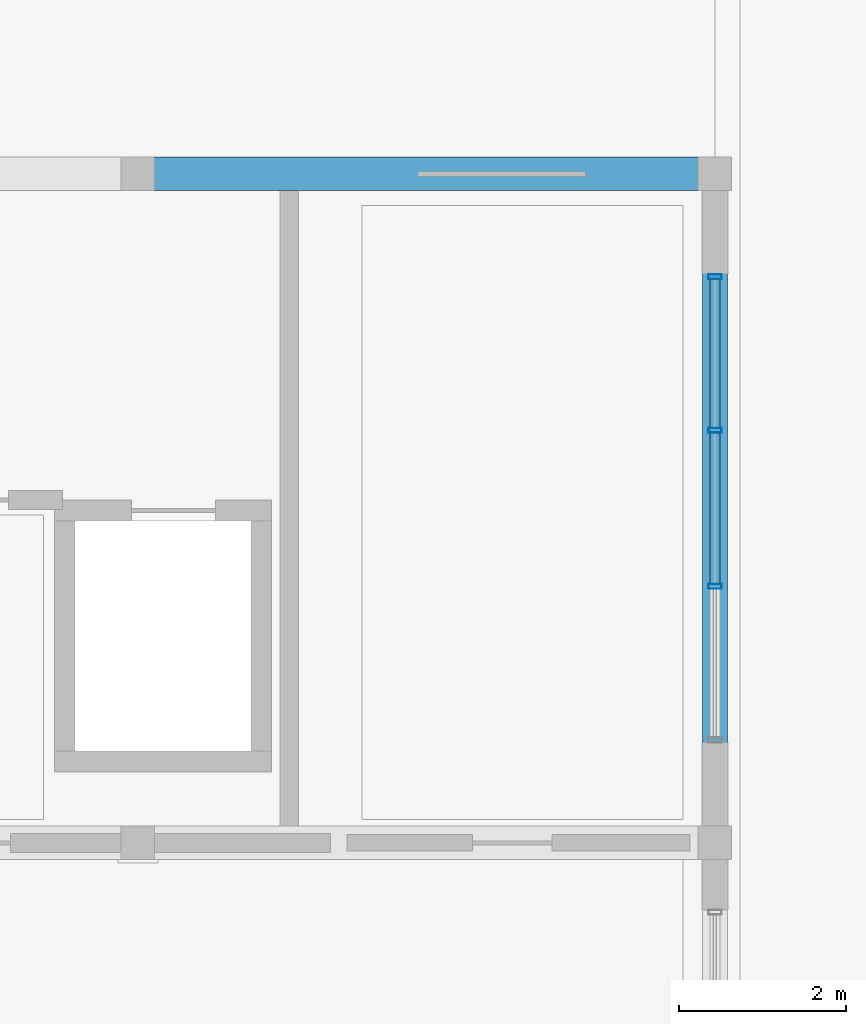
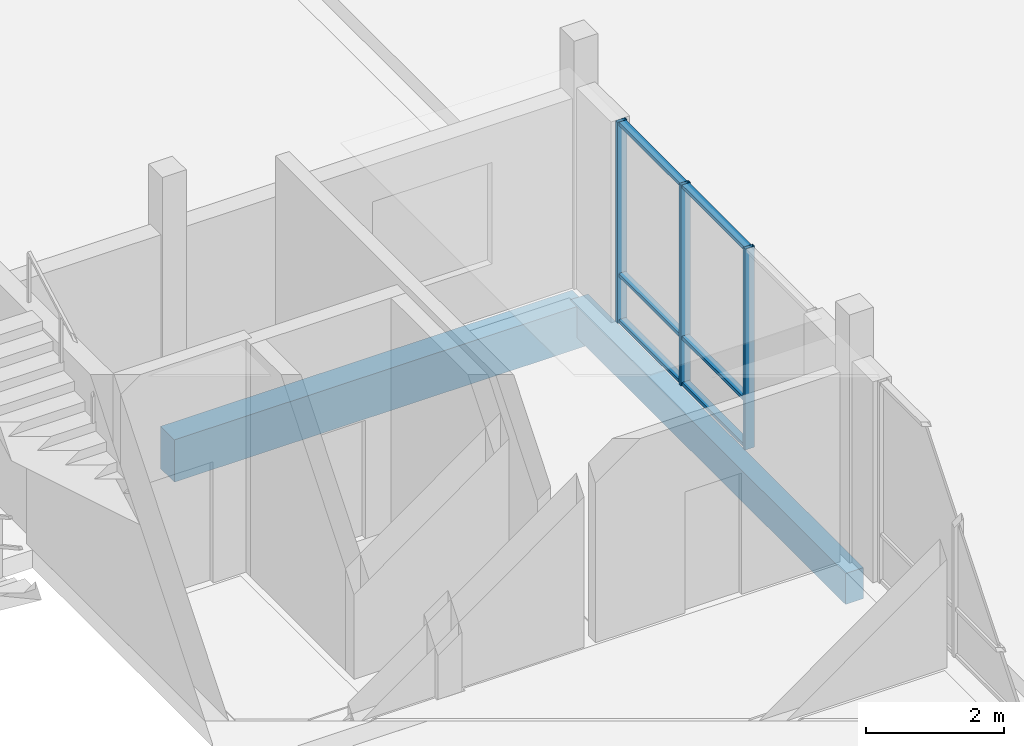
# One storey, part 91 of 233: 9 members, 2 beams, 1 element without a shape of its own.
"""IFC4 building model written with IfcOpenShell, lengths in metres."""

from ifc_helpers import new_model, si_unit, direction, frame, origin, origin_2d, place, context, subcontext, project, spatial, rectangle, hollow_rectangle, extrude, material, material_profile, profile_set, type_object, element, aggregate, save


model = new_model("IFC4")

# Units and contexts
model_context = context("Model", 3, precision=1e-05, world=origin(), true_north=direction((0.0, 1.0)))
body_context = subcontext(model_context, "Body", "Model", "MODEL_VIEW")
ifc_project = project(units=[si_unit("LENGTHUNIT", "METRE"), si_unit("AREAUNIT", "SQUARE_METRE"), si_unit("VOLUMEUNIT", "CUBIC_METRE"), si_unit("PLANEANGLEUNIT", "RADIAN"), si_unit("MASSUNIT", "GRAM", prefix="KILO")], contexts=[model_context])

# Site, building, storey
site_placement = place(None, origin())
site = spatial("IfcSite", under=ifc_project, at=site_placement, CompositionType="ELEMENT")
building_placement = place(site_placement, origin())
building = spatial("IfcBuilding", under=site, at=building_placement, Name="Zavelmont Quarter", CompositionType="ELEMENT")
storey_placement = place(building_placement, origin())
storey = spatial("IfcBuildingStorey", under=building, at=storey_placement, Name="L00", CompositionType="ELEMENT", Elevation=0.0)

# Beams
ifc_material_1 = material(Name="Concrete C35/45", Category="concrete")
ifc_material_profile_1 = material_profile(ifc_material_1, rectangle(XDim=0.300048828125, YDim=0.550048828125, at=origin_2d()), Name="RC300X550")
ifc_profile_set_1 = profile_set([ifc_material_profile_1], Name="Concrete C35/45")
beam_type_1 = type_object("IfcBeamType", Name="BM02", PredefinedType="SPANDREL", material=ifc_profile_set_1)
beam_1_placement = place(storey_placement, frame((20.699951171875, 78.0, -0.594970703125), z_axis=(0.0, 1.0, 0.0), x_axis=(-1.0, 0.0, 0.0)))
element("IfcBeam", 1, at=beam_1_placement, inside=storey, type_object=beam_type_1, Name="L00 beam BM02 4/M to 4/N", PredefinedType="SPANDREL", context=body_context, shape_type="SweptSolid", body=[
    extrude(rectangle(XDim=0.300048828125, YDim=0.550048828125, at=origin_2d()), origin(), (0.0, 0.0, 1.0), 8.0),
])
ifc_material_2 = material(Name="Concrete C40/50", Category="concrete")
ifc_material_profile_2 = material_profile(ifc_material_2, rectangle(XDim=0.39990234375, YDim=0.75, at=origin_2d()), Name="RC400X750")
ifc_profile_set_2 = profile_set([ifc_material_profile_2], Name="Concrete C40/50")
beam_type_2 = type_object("IfcBeamType", Name="BM05", PredefinedType="BEAM", material=ifc_profile_set_2)
beam_2_placement = place(storey_placement, frame((13.800048828125, 86.0, -0.695068359375), z_axis=(1.0, 0.0, 0.0), x_axis=(0.0, 1.0, 0.0)))
element("IfcBeam", 2, at=beam_2_placement, inside=storey, type_object=beam_type_2, Name="L00 beam BM05 3/N to 4/N", PredefinedType="BEAM", context=body_context, shape_type="SweptSolid", body=[
    extrude(rectangle(XDim=0.39990234375, YDim=0.75, at=origin_2d()), origin(), (0.0, 0.0, 1.0), 6.89990234375),
])

# Curtain wall, members
ifc_material_3 = material(Name="Thermally broken aluminium and double low-E safety glazing", Category="aluminium")
curtain_wall_type = type_object("IfcCurtainWallType", Name="CW-560X356", PredefinedType="NOTDEFINED", material=ifc_material_3)
curtain_wall_placement = place(storey_placement, origin())
curtain_wall = element("IfcCurtainWall", 3, at=curtain_wall_placement, inside=storey, type_object=curtain_wall_type, Name="L00 unitised curtain wall CW-560X356", PredefinedType="NOTDEFINED")
ifc_material_4 = material(Name="Powder-coated aluminium EN AW-6063-T6", Category="aluminium")
ifc_material_profile_3 = material_profile(ifc_material_4, hollow_rectangle(XDim=0.06005859375, YDim=0.159912109375, WallThickness=0.00390625, at=origin_2d()), Name="CWM60X160")
ifc_profile_set_3 = profile_set([ifc_material_profile_3], Name="Powder-coated aluminium EN AW-6063-T6")
member_type_1 = type_object("IfcMemberType", Name="CWM01", PredefinedType="MULLION", material=ifc_profile_set_3)
member_1_placement = place(storey_placement, frame((20.699951171875, 81.066650390625, 0.0), z_axis=(0.0, 0.0, 1.0), x_axis=(0.0, 1.0, 0.0)))
member_1 = element("IfcMember", 4, at=member_1_placement, type_object=member_type_1, Name="CW-560X356 mullion 2", PredefinedType="MULLION", context=body_context, shape_type="SweptSolid", body=[
    extrude(hollow_rectangle(XDim=0.06005859375, YDim=0.159912109375, WallThickness=0.00390625, at=origin_2d()), origin(), (0.0, 0.0, 1.0), 3.56005859375),
])
member_2_placement = place(storey_placement, frame((20.699951171875, 82.933349609375, 0.0), z_axis=(0.0, 0.0, 1.0), x_axis=(0.0, 1.0, 0.0)))
member_2 = element("IfcMember", 5, at=member_2_placement, type_object=member_type_1, Name="CW-560X356 mullion 3", PredefinedType="MULLION", context=body_context, shape_type="SweptSolid", body=[
    extrude(hollow_rectangle(XDim=0.06005859375, YDim=0.159912109375, WallThickness=0.00390625, at=origin_2d()), origin(), (0.0, 0.0, 1.0), 3.56005859375),
])
member_3_placement = place(storey_placement, frame((20.699951171875, 84.77001953125, 0.0), z_axis=(0.0, 0.0, 1.0), x_axis=(0.0, 1.0, 0.0)))
member_3 = element("IfcMember", 6, at=member_3_placement, type_object=member_type_1, Name="CW-560X356 mullion 4", PredefinedType="MULLION", context=body_context, shape_type="SweptSolid", body=[
    extrude(hollow_rectangle(XDim=0.06005859375, YDim=0.159912109375, WallThickness=0.00390625, at=origin_2d()), origin(), (0.0, 0.0, 1.0), 3.56005859375),
])
ifc_material_profile_4 = material_profile(ifc_material_4, hollow_rectangle(XDim=0.1201171875, YDim=0.06005859375, WallThickness=0.00390625, at=origin_2d()), Name="CWT60X120")
ifc_profile_set_4 = profile_set([ifc_material_profile_4], Name="Powder-coated aluminium EN AW-6063-T6")
member_type_2 = type_object("IfcMemberType", Name="CWT01", PredefinedType="NOTDEFINED", material=ifc_profile_set_4)
member_4_placement = place(storey_placement, frame((20.699951171875, 81.0966796875, 0.030029296875), z_axis=(0.0, 1.0, 0.0), x_axis=(-1.0, 0.0, 0.0)))
member_4 = element("IfcMember", 7, at=member_4_placement, type_object=member_type_2, Name="CW-560X356 transom 2.1", ObjectType="TRANSOM", PredefinedType="USERDEFINED", context=body_context, shape_type="SweptSolid", body=[
    extrude(hollow_rectangle(XDim=0.1201171875, YDim=0.06005859375, WallThickness=0.00390625, at=origin_2d()), origin(), (0.0, 0.0, 1.0), 1.806640625),
])
member_5_placement = place(storey_placement, frame((20.699951171875, 81.0966796875, 0.85009765625), z_axis=(0.0, 1.0, 0.0), x_axis=(-1.0, 0.0, 0.0)))
member_5 = element("IfcMember", 8, at=member_5_placement, type_object=member_type_2, Name="CW-560X356 transom 2.2", ObjectType="TRANSOM", PredefinedType="USERDEFINED", context=body_context, shape_type="SweptSolid", body=[
    extrude(hollow_rectangle(XDim=0.1201171875, YDim=0.06005859375, WallThickness=0.00390625, at=origin_2d()), origin(), (0.0, 0.0, 1.0), 1.806640625),
])
member_6_placement = place(storey_placement, frame((20.699951171875, 81.0966796875, 3.530029296875), z_axis=(0.0, 1.0, 0.0), x_axis=(-1.0, 0.0, 0.0)))
member_6 = element("IfcMember", 9, at=member_6_placement, type_object=member_type_2, Name="CW-560X356 transom 2.3", ObjectType="TRANSOM", PredefinedType="USERDEFINED", context=body_context, shape_type="SweptSolid", body=[
    extrude(hollow_rectangle(XDim=0.1201171875, YDim=0.06005859375, WallThickness=0.00390625, at=origin_2d()), origin(), (0.0, 0.0, 1.0), 1.806640625),
])
member_7_placement = place(storey_placement, frame((20.699951171875, 82.96337890625, 0.030029296875), z_axis=(0.0, 1.0, 0.0), x_axis=(-1.0, 0.0, 0.0)))
member_7 = element("IfcMember", 10, at=member_7_placement, type_object=member_type_2, Name="CW-560X356 transom 3.1", ObjectType="TRANSOM", PredefinedType="USERDEFINED", context=body_context, shape_type="SweptSolid", body=[
    extrude(hollow_rectangle(XDim=0.1201171875, YDim=0.06005859375, WallThickness=0.00390625, at=origin_2d()), origin(), (0.0, 0.0, 1.0), 1.776611328125),
])
member_8_placement = place(storey_placement, frame((20.699951171875, 82.96337890625, 0.85009765625), z_axis=(0.0, 1.0, 0.0), x_axis=(-1.0, 0.0, 0.0)))
member_8 = element("IfcMember", 11, at=member_8_placement, type_object=member_type_2, Name="CW-560X356 transom 3.2", ObjectType="TRANSOM", PredefinedType="USERDEFINED", context=body_context, shape_type="SweptSolid", body=[
    extrude(hollow_rectangle(XDim=0.1201171875, YDim=0.06005859375, WallThickness=0.00390625, at=origin_2d()), origin(), (0.0, 0.0, 1.0), 1.776611328125),
])
member_9_placement = place(storey_placement, frame((20.699951171875, 82.96337890625, 3.530029296875), z_axis=(0.0, 1.0, 0.0), x_axis=(-1.0, 0.0, 0.0)))
member_9 = element("IfcMember", 12, at=member_9_placement, type_object=member_type_2, Name="CW-560X356 transom 3.3", ObjectType="TRANSOM", PredefinedType="USERDEFINED", context=body_context, shape_type="SweptSolid", body=[
    extrude(hollow_rectangle(XDim=0.1201171875, YDim=0.06005859375, WallThickness=0.00390625, at=origin_2d()), origin(), (0.0, 0.0, 1.0), 1.776611328125),
])
aggregate(curtain_wall, [member_1, member_2, member_3, member_4, member_5, member_6, member_7, member_8, member_9])

save(model, "model.ifc")
